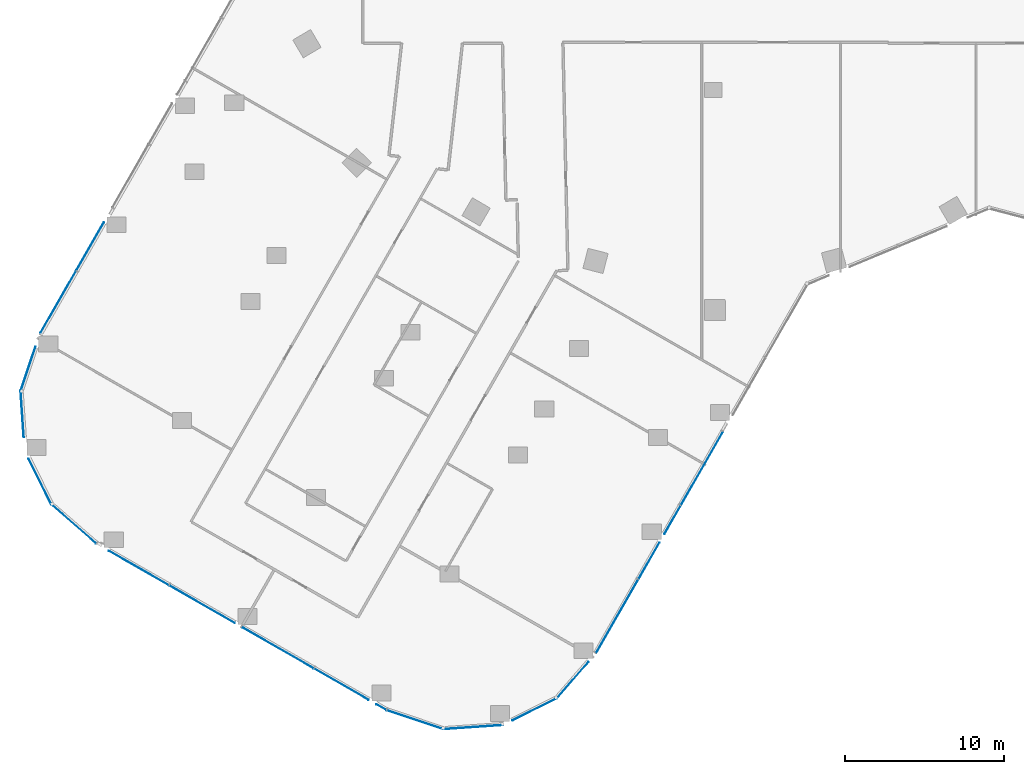
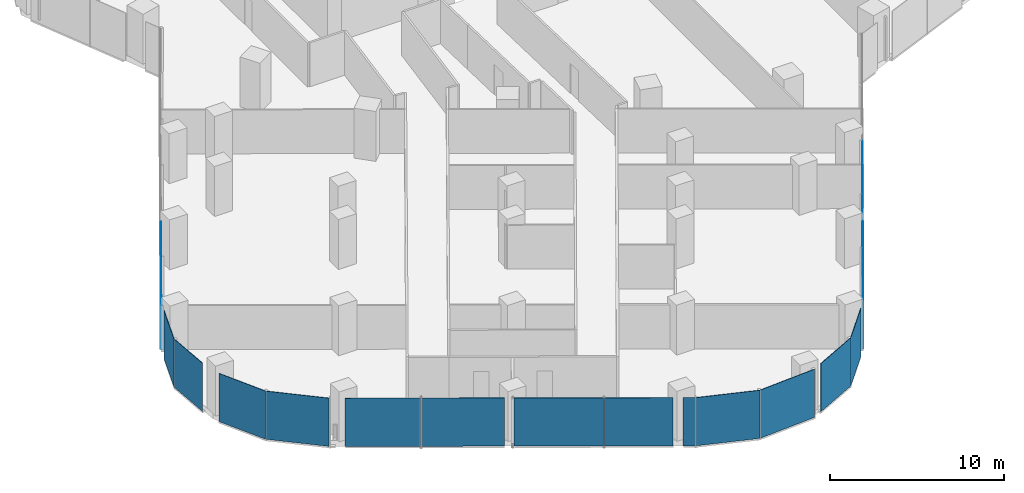
# One storey, part 18 of 34: 19 plates, 11 elements without a shape of their own.
"""IFC4 building model written with IfcOpenShell, lengths in metres."""

from ifc_helpers import new_model, si_unit, direction, frame, origin, origin_2d, place, context, subcontext, project, spatial, rectangle, extrude, material, layer, layer_set, type_object, element, aggregate, save


model = new_model("IFC4")

# Units and contexts
model_context = context("Model", 3, precision=1e-05, world=origin(), true_north=direction((0.0, 1.0)))
body_context = subcontext(model_context, "Body", "Model", "MODEL_VIEW")
ifc_project = project(units=[si_unit("LENGTHUNIT", "METRE"), si_unit("AREAUNIT", "SQUARE_METRE"), si_unit("VOLUMEUNIT", "CUBIC_METRE"), si_unit("PLANEANGLEUNIT", "RADIAN"), si_unit("MASSUNIT", "GRAM", prefix="KILO")], contexts=[model_context])

# Site, building, storey
site_placement = place(None, origin())
site = spatial("IfcSite", under=ifc_project, at=site_placement, CompositionType="ELEMENT")
building_placement = place(site_placement, origin())
building = spatial("IfcBuilding", under=site, at=building_placement, Name="Orlundy Tower", CompositionType="ELEMENT")
storey_placement = place(building_placement, frame((0.0, 0.0, 112.699951171875)))
storey = spatial("IfcBuildingStorey", under=building, at=storey_placement, Name="L28", CompositionType="ELEMENT", Elevation=112.699951171875)

# Curtain wall, plates
ifc_material_1 = material(Name="Aluminium bronze anodised", Category="aluminium")
curtain_wall_type = type_object("IfcCurtainWallType", Name="CW1 wall", PredefinedType="NOTDEFINED", material=ifc_material_1)
curtain_wall_1_placement = place(storey_placement, origin())
curtain_wall_1 = element("IfcCurtainWall", 1, at=curtain_wall_1_placement, inside=storey, type_object=curtain_wall_type, Name="CW1 run 02", PredefinedType="NOTDEFINED")
ifc_material_2 = material(Name="Tinted glass", Category="glass")
ifc_layer = layer(ifc_material_2, 0.031982421875)
ifc_layer_set = layer_set([ifc_layer], Name="CW1 glass panel 32")
plate_type = type_object("IfcPlateType", Name="CW1 glass panel 32", PredefinedType="CURTAIN_PANEL", material=ifc_layer_set)
plate_1_placement = place(storey_placement, frame((-0.7197265625, -41.78759765625, -0.27978515625), z_axis=(0.0, 0.0, 1.0), x_axis=(-0.497473280125, -0.867479299789, 0.0)))
plate_1 = element("IfcPlate", 2, at=plate_1_placement, type_object=plate_type, Name="CW1 panel", PredefinedType="CURTAIN_PANEL", context=body_context, shape_type="SweptSolid", body=[
    extrude(rectangle(XDim=5.306640625, YDim=0.031982421875, at=origin_2d()), origin(), (0.0, 0.0, 1.0), 3.3798828125),
])
plate_2_placement = place(storey_placement, frame((-2.57373046875, -45.0205078125, -0.27978515625), z_axis=(0.0, 0.0, 1.0), x_axis=(-0.497473280125, -0.867479299789, 0.0)))
plate_2 = element("IfcPlate", 3, at=plate_2_placement, type_object=plate_type, Name="CW1 panel", PredefinedType="CURTAIN_PANEL", context=body_context, shape_type="SweptSolid", body=[
    extrude(rectangle(XDim=2.047119140625, YDim=0.031982421875, at=origin_2d()), origin(), (0.0, 0.0, 1.0), 3.3798828125),
])
plate_3_placement = place(storey_placement, frame((-4.053955078125, -47.6015625, -0.27978515625), z_axis=(0.0, 0.0, 1.0), x_axis=(-0.497473280125, -0.867479299789, 0.0)))
plate_3 = element("IfcPlate", 4, at=plate_3_placement, type_object=plate_type, Name="CW1 panel", PredefinedType="CURTAIN_PANEL", context=body_context, shape_type="SweptSolid", body=[
    extrude(rectangle(XDim=2.61572265625, YDim=0.031982421875, at=origin_2d()), origin(), (0.0, 0.0, 1.0), 3.3798828125),
])
plate_4_placement = place(storey_placement, frame((-6.05322265625, -51.088134765625, -0.27978515625), z_axis=(0.0, 0.0, 1.0), x_axis=(-0.497473280125, -0.867479299789, 0.0)))
plate_4 = element("IfcPlate", 5, at=plate_4_placement, type_object=plate_type, Name="CW1 panel", PredefinedType="CURTAIN_PANEL", context=body_context, shape_type="SweptSolid", body=[
    extrude(rectangle(XDim=5.32275390625, YDim=0.031982421875, at=origin_2d()), origin(), (0.0, 0.0, 1.0), 3.3798828125),
])
aggregate(curtain_wall_1, [plate_1, plate_2, plate_3, plate_4])

# Curtain wall, plate
curtain_wall_2_placement = place(storey_placement, origin())
curtain_wall_2 = element("IfcCurtainWall", 6, at=curtain_wall_2_placement, inside=storey, type_object=curtain_wall_type, Name="CW1 run 03", PredefinedType="NOTDEFINED")
plate_5_placement = place(storey_placement, frame((-8.857177734375, -55.1015625, -0.27978515625), z_axis=(0.0, 0.0, 1.0), x_axis=(-0.657166641446, -0.753745318639, 0.0)))
plate_5 = element("IfcPlate", 7, at=plate_5_placement, type_object=plate_type, Name="CW1 panel", PredefinedType="CURTAIN_PANEL", context=body_context, shape_type="SweptSolid", body=[
    extrude(rectangle(XDim=3.045166015625, YDim=0.031982421875, at=origin_2d()), origin(), (0.0, 0.0, 1.0), 3.3798828125),
])
aggregate(curtain_wall_2, [plate_5])

curtain_wall_3_placement = place(storey_placement, origin())
curtain_wall_3 = element("IfcCurtainWall", 8, at=curtain_wall_3_placement, inside=storey, type_object=curtain_wall_type, Name="CW1 run 04", PredefinedType="NOTDEFINED")
plate_6_placement = place(storey_placement, frame((-11.247314453125, -56.939453125, -0.27978515625), z_axis=(0.0, 0.0, 1.0), x_axis=(-0.895610995013, -0.444838111689, 0.0)))
plate_6 = element("IfcPlate", 9, at=plate_6_placement, type_object=plate_type, Name="CW1 panel", PredefinedType="CURTAIN_PANEL", context=body_context, shape_type="SweptSolid", body=[
    extrude(rectangle(XDim=3.10302734375, YDim=0.031982421875, at=origin_2d()), origin(), (0.0, 0.0, 1.0), 3.3798828125),
])
aggregate(curtain_wall_3, [plate_6])

curtain_wall_4_placement = place(storey_placement, origin())
curtain_wall_4 = element("IfcCurtainWall", 10, at=curtain_wall_4_placement, inside=storey, type_object=curtain_wall_type, Name="CW1 run 05", PredefinedType="NOTDEFINED")
plate_7_placement = place(storey_placement, frame((-15.11767578125, -58.056640625, -0.27978515625), z_axis=(0.0, 0.0, 1.0), x_axis=(-0.99764944579, -0.068524326451, 0.0)))
plate_7 = element("IfcPlate", 11, at=plate_7_placement, type_object=plate_type, Name="CW1 panel", PredefinedType="CURTAIN_PANEL", context=body_context, shape_type="SweptSolid", body=[
    extrude(rectangle(XDim=3.77197265625, YDim=0.031982421875, at=origin_2d()), origin(), (0.0, 0.0, 1.0), 3.3798828125),
])
aggregate(curtain_wall_4, [plate_7])

curtain_wall_5_placement = place(storey_placement, origin())
curtain_wall_5 = element("IfcCurtainWall", 12, at=curtain_wall_5_placement, inside=storey, type_object=curtain_wall_type, Name="CW1 run 06", PredefinedType="NOTDEFINED")
plate_8_placement = place(storey_placement, frame((-18.76708984375, -57.591064453125, -0.27978515625), z_axis=(0.0, 0.0, 1.0), x_axis=(-0.947789215135, 0.318897481446, 0.0)))
plate_8 = element("IfcPlate", 13, at=plate_8_placement, type_object=plate_type, Name="CW1 panel", PredefinedType="CURTAIN_PANEL", context=body_context, shape_type="SweptSolid", body=[
    extrude(rectangle(XDim=3.730224609375, YDim=0.031982421875, at=origin_2d()), origin(), (0.0, 0.0, 1.0), 3.3798828125),
])
aggregate(curtain_wall_5, [plate_8])

# Curtain wall, plates
curtain_wall_6_placement = place(storey_placement, origin())
curtain_wall_6 = element("IfcCurtainWall", 14, at=curtain_wall_6_placement, inside=storey, type_object=curtain_wall_type, Name="CW1 run 07", PredefinedType="NOTDEFINED")
plate_9_placement = place(storey_placement, frame((-20.890625, -56.7978515625, -0.27978515625), z_axis=(0.0, 0.0, 1.0), x_axis=(-0.867477274334, 0.497476812036, 0.0)))
plate_9 = element("IfcPlate", 15, at=plate_9_placement, type_object=plate_type, Name="CW1 panel", PredefinedType="CURTAIN_PANEL", context=body_context, shape_type="SweptSolid", body=[
    extrude(rectangle(XDim=0.715087890625, YDim=0.031982421875, at=origin_2d()), origin(), (0.0, 0.0, 1.0), 3.3798828125),
])
plate_10_placement = place(storey_placement, frame((-23.39599609375, -55.361083984375, -0.27978515625), z_axis=(0.0, 0.0, 1.0), x_axis=(-0.867477274334, 0.497476812036, 0.0)))
plate_10 = element("IfcPlate", 16, at=plate_10_placement, type_object=plate_type, Name="CW1 panel", PredefinedType="CURTAIN_PANEL", context=body_context, shape_type="SweptSolid", body=[
    extrude(rectangle(XDim=3.9404296875, YDim=0.031982421875, at=origin_2d()), origin(), (0.0, 0.0, 1.0), 3.3798828125),
])
plate_11_placement = place(storey_placement, frame((-27.38232421875, -53.074951171875, -0.27978515625), z_axis=(0.0, 0.0, 1.0), x_axis=(-0.867477274334, 0.497476812036, 0.0)))
plate_11 = element("IfcPlate", 17, at=plate_11_placement, type_object=plate_type, Name="CW1 panel", PredefinedType="CURTAIN_PANEL", context=body_context, shape_type="SweptSolid", body=[
    extrude(rectangle(XDim=5.150146484375, YDim=0.031982421875, at=origin_2d()), origin(), (0.0, 0.0, 1.0), 3.3798828125),
])
plate_12_placement = place(storey_placement, frame((-32.1572265625, -50.336669921875, -0.27978515625), z_axis=(0.0, 0.0, 1.0), x_axis=(-0.867477274334, 0.497476812036, 0.0)))
plate_12 = element("IfcPlate", 18, at=plate_12_placement, type_object=plate_type, Name="CW1 panel", PredefinedType="CURTAIN_PANEL", context=body_context, shape_type="SweptSolid", body=[
    extrude(rectangle(XDim=4.740966796875, YDim=0.031982421875, at=origin_2d()), origin(), (0.0, 0.0, 1.0), 3.3798828125),
])
plate_13_placement = place(storey_placement, frame((-36.143310546875, -48.05078125, -0.27978515625), z_axis=(0.0, 0.0, 1.0), x_axis=(-0.867477274334, 0.497476812036, 0.0)))
plate_13 = element("IfcPlate", 19, at=plate_13_placement, type_object=plate_type, Name="CW1 panel", PredefinedType="CURTAIN_PANEL", context=body_context, shape_type="SweptSolid", body=[
    extrude(rectangle(XDim=4.34912109375, YDim=0.031982421875, at=origin_2d()), origin(), (0.0, 0.0, 1.0), 3.3798828125),
])
aggregate(curtain_wall_6, [plate_9, plate_10, plate_11, plate_12, plate_13])

# Curtain wall, plate
curtain_wall_7_placement = place(storey_placement, origin())
curtain_wall_7 = element("IfcCurtainWall", 20, at=curtain_wall_7_placement, inside=storey, type_object=curtain_wall_type, Name="CW1 run 08", PredefinedType="NOTDEFINED")
plate_14_placement = place(storey_placement, frame((-40.228515625, -45.282958984375, -0.27978515625), z_axis=(0.0, 0.0, 1.0), x_axis=(-0.753745318639, 0.657166641446, 0.0)))
plate_14 = element("IfcPlate", 21, at=plate_14_placement, type_object=plate_type, Name="CW1 panel", PredefinedType="CURTAIN_PANEL", context=body_context, shape_type="SweptSolid", body=[
    extrude(rectangle(XDim=3.73046875, YDim=0.031982421875, at=origin_2d()), origin(), (0.0, 0.0, 1.0), 3.3798828125),
])
aggregate(curtain_wall_7, [plate_14])

curtain_wall_8_placement = place(storey_placement, origin())
curtain_wall_8 = element("IfcCurtainWall", 22, at=curtain_wall_8_placement, inside=storey, type_object=curtain_wall_type, Name="CW1 run 09", PredefinedType="NOTDEFINED")
plate_15_placement = place(storey_placement, frame((-42.349853515625, -42.6181640625, -0.27978515625), z_axis=(0.0, 0.0, 1.0), x_axis=(-0.445161977313, 0.895450062234, 0.0)))
plate_15 = element("IfcPlate", 23, at=plate_15_placement, type_object=plate_type, Name="CW1 panel", PredefinedType="CURTAIN_PANEL", context=body_context, shape_type="SweptSolid", body=[
    extrude(rectangle(XDim=3.21435546875, YDim=0.031982421875, at=origin_2d()), origin(), (0.0, 0.0, 1.0), 3.3798828125),
])
aggregate(curtain_wall_8, [plate_15])

curtain_wall_9_placement = place(storey_placement, origin())
curtain_wall_9 = element("IfcCurtainWall", 24, at=curtain_wall_9_placement, inside=storey, type_object=curtain_wall_type, Name="CW1 run 010", PredefinedType="NOTDEFINED")
plate_16_placement = place(storey_placement, frame((-43.471435546875, -38.369873046875, -0.27978515625), z_axis=(0.0, 0.0, 1.0), x_axis=(-0.068255804988, 0.997667853088, 0.0)))
plate_16 = element("IfcPlate", 25, at=plate_16_placement, type_object=plate_type, Name="CW1 panel", PredefinedType="CURTAIN_PANEL", context=body_context, shape_type="SweptSolid", body=[
    extrude(rectangle(XDim=2.913330078125, YDim=0.031982421875, at=origin_2d()), origin(), (0.0, 0.0, 1.0), 3.3798828125),
])
aggregate(curtain_wall_9, [plate_16])

curtain_wall_10_placement = place(storey_placement, origin())
curtain_wall_10 = element("IfcCurtainWall", 26, at=curtain_wall_10_placement, inside=storey, type_object=curtain_wall_type, Name="CW1 run 011", PredefinedType="NOTDEFINED")
plate_17_placement = place(storey_placement, frame((-43.101318359375, -35.52099609375, -0.27978515625), z_axis=(0.0, 0.0, 1.0), x_axis=(0.318815956268, 0.947816641566, 0.0)))
plate_17 = element("IfcPlate", 27, at=plate_17_placement, type_object=plate_type, Name="CW1 panel", PredefinedType="CURTAIN_PANEL", context=body_context, shape_type="SweptSolid", body=[
    extrude(rectangle(XDim=2.94482421875, YDim=0.031982421875, at=origin_2d()), origin(), (0.0, 0.0, 1.0), 3.3798828125),
])
aggregate(curtain_wall_10, [plate_17])

# Curtain wall, plates
curtain_wall_11_placement = place(storey_placement, origin())
curtain_wall_11 = element("IfcCurtainWall", 28, at=curtain_wall_11_placement, inside=storey, type_object=curtain_wall_type, Name="CW1 run 012", PredefinedType="NOTDEFINED")
plate_18_placement = place(storey_placement, frame((-41.205322265625, -31.31982421875, -0.27978515625), z_axis=(0.0, 0.0, 1.0), x_axis=(0.497468306172, 0.867482152182, 0.0)))
plate_18 = element("IfcPlate", 29, at=plate_18_placement, type_object=plate_type, Name="CW1 panel", PredefinedType="CURTAIN_PANEL", context=body_context, shape_type="SweptSolid", body=[
    extrude(rectangle(XDim=4.4638671875, YDim=0.031982421875, at=origin_2d()), origin(), (0.0, 0.0, 1.0), 3.3798828125),
])
plate_19_placement = place(storey_placement, frame((-39.20556640625, -27.83251953125, -0.27978515625), z_axis=(0.0, 0.0, 1.0), x_axis=(0.497468306172, 0.867482152182, 0.0)))
plate_19 = element("IfcPlate", 30, at=plate_19_placement, type_object=plate_type, Name="CW1 panel", PredefinedType="CURTAIN_PANEL", context=body_context, shape_type="SweptSolid", body=[
    extrude(rectangle(XDim=3.475830078125, YDim=0.031982421875, at=origin_2d()), origin(), (0.0, 0.0, 1.0), 3.3798828125),
])
aggregate(curtain_wall_11, [plate_18, plate_19])

save(model, "model.ifc")
